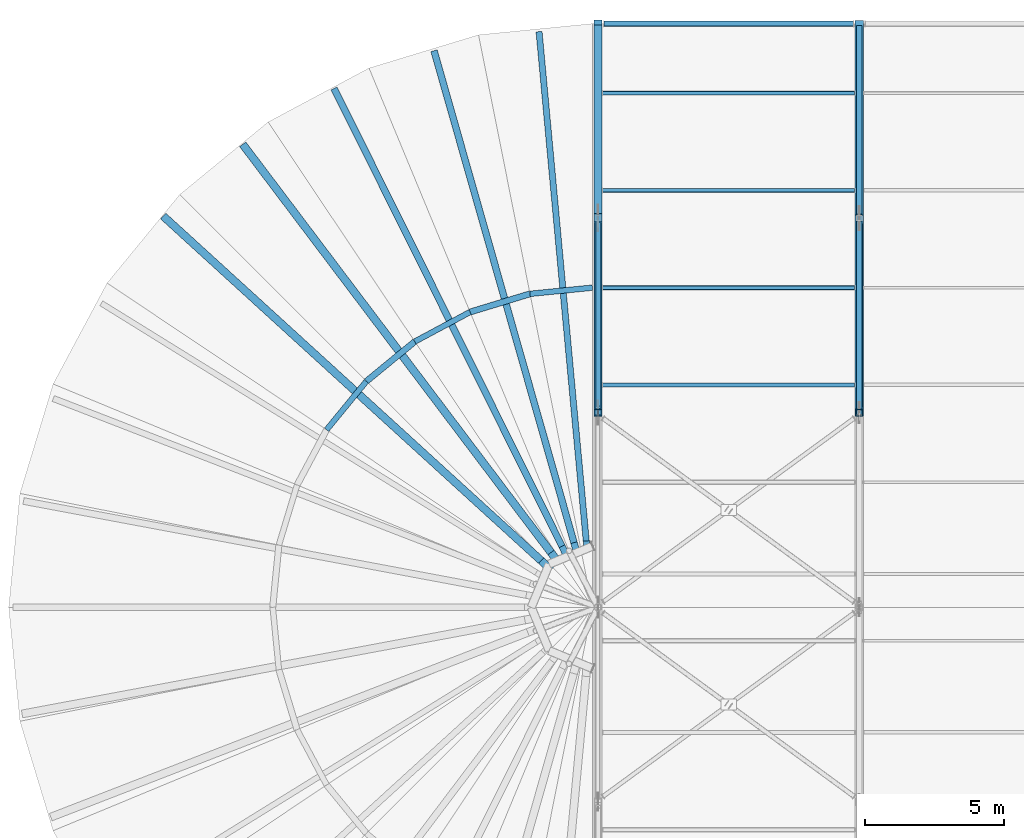
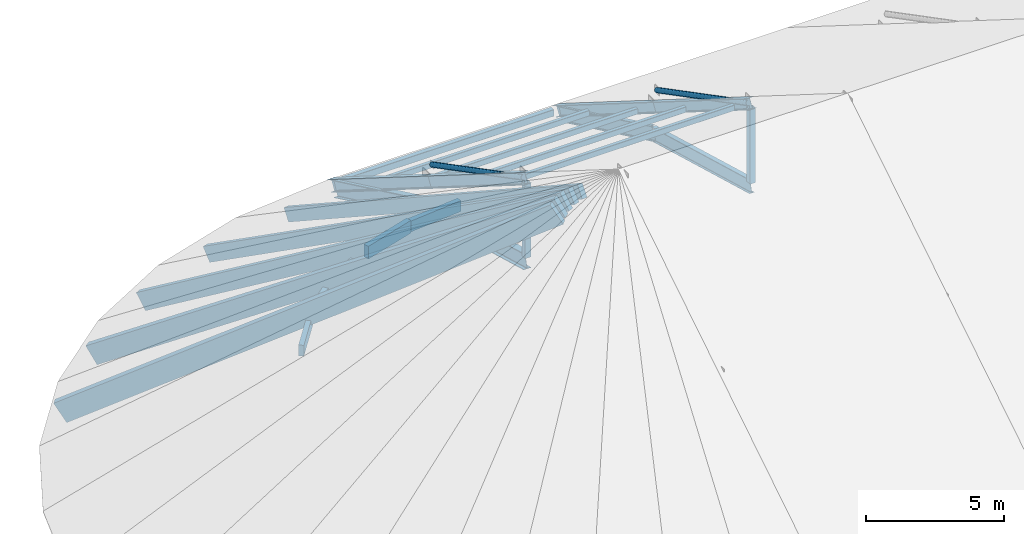
# One storey, part 11 of 66: 17 members, 10 beams.
"""IFC4 building model written with IfcOpenShell, lengths in metres."""

from ifc_helpers import new_model, si_unit, direction, frame, origin, origin_2d, place, context, subcontext, project, spatial, rectangle, hollow_rectangle, hollow_circle, i_section, extrude, material, material_profile, profile_set, type_object, element, save


model = new_model("IFC4")

# Units and contexts
model_context = context("Model", 3, precision=1e-05, world=origin(), true_north=direction((0.0, 1.0)))
body_context = subcontext(model_context, "Body", "Model", "MODEL_VIEW")
ifc_project = project(units=[si_unit("LENGTHUNIT", "METRE"), si_unit("AREAUNIT", "SQUARE_METRE"), si_unit("VOLUMEUNIT", "CUBIC_METRE"), si_unit("PLANEANGLEUNIT", "RADIAN"), si_unit("MASSUNIT", "GRAM", prefix="KILO")], contexts=[model_context])

# Site, building, storey
site_placement = place(None, origin())
site = spatial("IfcSite", under=ifc_project, at=site_placement, CompositionType="ELEMENT")
building_placement = place(site_placement, origin())
building = spatial("IfcBuilding", under=site, at=building_placement, Name="Yeouljin Market Hall", CompositionType="ELEMENT")
storey_placement = place(building_placement, frame((0.0, 0.0, 23.39990234375)))
storey = spatial("IfcBuildingStorey", under=building, at=storey_placement, Name="RF", CompositionType="ELEMENT", Elevation=23.39990234375)

# Beams
ifc_material_1 = material(Name="Glulam Timber KS F 3021 10S-30B", Category="wood")
ifc_material_profile_1 = material_profile(ifc_material_1, rectangle(XDim=0.199951171875, YDim=0.47998046875, at=origin_2d()), Name="GL-200x480")
ifc_profile_set_1 = profile_set([ifc_material_profile_1], Name="Glulam Timber KS F 3021 10S-30B")
beam_type_1 = type_object("IfcBeamType", Name="Beam_GL-200x480", PredefinedType="BEAM", material=ifc_profile_set_1)
for number, where, z_axis, x_axis, name in (
    (1, (25.838134765625, 63.38916015625, -7.349853515625), (0.634446057167, 0.772967140663, 0.0), (-0.772967140663, 0.634446057167, 0.0), "Glulam apse collar beam west 12"),
    (2, (29.010986328125, 66.56201171875, -7.349853515625), (0.881944865518, 0.471352579484, 0.0), (-0.471352579484, 0.881944865518, 0.0), "Glulam apse collar beam west 14"),
    (3, (33.156494140625, 68.279052734375, -7.349853515625), (0.995185122883, 0.098013117446, 0.0), (-0.098013117446, 0.995185122883, 0.0), "Glulam apse collar beam west 16"),
):
    element("IfcBeam", number, at=place(storey_placement, frame(where, z_axis=z_axis, x_axis=x_axis)), inside=storey, type_object=beam_type_1, Name=name, PredefinedType="BEAM", context=body_context, shape_type="SweptSolid", body=[
        extrude(rectangle(XDim=0.199951171875, YDim=0.47998046875, at=origin_2d()), origin(), (0.0, 0.0, 1.0), 2.254150390625),
    ])
ifc_material_2 = material(Name="Glulam Timber KS F 3021 10S-30B", Category="wood")
ifc_material_profile_2 = material_profile(ifc_material_2, rectangle(XDim=0.219970703125, YDim=0.56005859375, at=origin_2d()), Name="GL-220x560")
ifc_profile_set_2 = profile_set([ifc_material_profile_2], Name="Glulam Timber KS F 3021 10S-30B")
beam_type_2 = type_object("IfcBeamType", Name="Beam_GL-220x560", PredefinedType="BEAM", material=ifc_profile_set_2)
for number, where, z_axis, x_axis, name in (
    (4, (27.268310546875, 65.131591796875, -7.349853515625), (0.772957623803, 0.634457651704, 0.0), (-0.634457651704, 0.772957623803, 0.0), "Glulam apse collar beam west 13"),
    (5, (30.9990234375, 67.62451171875, -7.349853515625), (0.9569305483, 0.290316940137, 0.0), (-0.290316940137, 0.9569305483, 0.0), "Glulam apse collar beam west 15"),
):
    element("IfcBeam", number, at=place(storey_placement, frame(where, z_axis=z_axis, x_axis=x_axis)), inside=storey, type_object=beam_type_2, Name=name, PredefinedType="BEAM", context=body_context, shape_type="SweptSolid", body=[
        extrude(rectangle(XDim=0.219970703125, YDim=0.56005859375, at=origin_2d()), origin(), (0.0, 0.0, 1.0), 2.254638671875),
    ])
ifc_material_3 = material(Name="Steel SM355", Category="steel")
ifc_material_profile_3 = material_profile(ifc_material_3, i_section(OverallWidth=0.199951171875, OverallDepth=0.60009765625, WebThickness=0.010986328125, FlangeThickness=0.01708984375, FilletRadius=0.02197265625, at=origin_2d()), Name="H-600x200x11x17")
ifc_profile_set_3 = profile_set([ifc_material_profile_3], Name="Steel SM355")
beam_type_3 = type_object("IfcBeamType", Name="Beam_H-600x200x11x17", PredefinedType="BEAM", material=ifc_profile_set_3)
beam_1_placement = place(storey_placement, frame((45.0, 64.02001953125, -7.144287109375), z_axis=(0.0, 0.963516941196, -0.267647350124), x_axis=(-1.0, 0.0, 0.0)))
element("IfcBeam", 6, at=beam_1_placement, inside=storey, type_object=beam_type_3, Name="Truss AT-02 arch rib 5", PredefinedType="BEAM", context=body_context, shape_type="SweptSolid", body=[
    extrude(i_section(OverallWidth=0.199951171875, OverallDepth=0.60009765625, WebThickness=0.010986328125, FlangeThickness=0.01708984375, FilletRadius=0.02197265625, at=origin_2d()), origin(), (0.0, 0.0, 1.0), 7.223388671875),
])
beam_2_placement = place(storey_placement, frame((45.0, 71.02001953125, -9.07763671875), z_axis=(0.0, 0.903192091176, -0.429236585623), x_axis=(-1.0, 0.0, 0.0)))
element("IfcBeam", 7, at=beam_2_placement, inside=storey, type_object=beam_type_3, Name="Truss AT-02 arch rib 6", PredefinedType="BEAM", context=body_context, shape_type="SweptSolid", body=[
    extrude(i_section(OverallWidth=0.199951171875, OverallDepth=0.60009765625, WebThickness=0.010986328125, FlangeThickness=0.01708984375, FilletRadius=0.02197265625, at=origin_2d()), origin(), (0.0, 0.0, 1.0), 7.5068359375),
])
ifc_material_4 = material(Name="Steel SM355", Category="steel")
ifc_material_profile_4 = material_profile(ifc_material_4, hollow_rectangle(XDim=0.199951171875, YDim=0.300048828125, WallThickness=0.009033203125, InnerFilletRadius=0.009033203125, OuterFilletRadius=0.01611328125, at=origin_2d()), Name="RHS-300x200x9")
ifc_profile_set_4 = profile_set([ifc_material_profile_4], Name="Steel SM355")
beam_type_4 = type_object("IfcBeamType", Name="Beam_RHS-300x200x9", PredefinedType="BEAM", material=ifc_profile_set_4)
beam_3_placement = place(storey_placement, frame((35.81591796875, 78.0, -12.27978515625), z_axis=(1.0, 0.0, 0.0), x_axis=(0.0, 1.0, 0.0)))
element("IfcBeam", 8, at=beam_3_placement, inside=storey, type_object=beam_type_4, Name="Hall eaves girder N01", PredefinedType="BEAM", context=body_context, shape_type="SweptSolid", body=[
    extrude(hollow_rectangle(XDim=0.199951171875, YDim=0.300048828125, WallThickness=0.009033203125, InnerFilletRadius=0.009033203125, OuterFilletRadius=0.01611328125, at=origin_2d()), origin(), (0.0, 0.0, 1.0), 8.968017578125),
])

# Members
ifc_material_5 = material(Name="Steel SM355", Category="steel")
ifc_material_profile_5 = material_profile(ifc_material_5, hollow_circle(Radius=0.108154296875, WallThickness=0.008056640625, at=origin_2d()), Name="CHS-216.3x8")
ifc_profile_set_5 = profile_set([ifc_material_profile_5], Name="Steel SM355")
member_type_1 = type_object("IfcMemberType", Name="Brace_CHS-216.3x8", PredefinedType="BRACE", material=ifc_profile_set_5)
for number, where, z_axis, x_axis, name in (
    (9, (35.60009765625, 64.195068359375, -3.6015625), (0.0, 0.886995164265, -0.461778711691), (-1.0, 0.0, 0.0), "Truss AT-01 web diagonal 5"),
    (10, (45.0, 64.195068359375, -3.6015625), (0.0, 0.886995164265, -0.461778711691), (-1.0, 0.0, 0.0), "Truss AT-02 web diagonal 5"),
):
    element("IfcMember", number, at=place(storey_placement, frame(where, z_axis=z_axis, x_axis=x_axis)), inside=storey, type_object=member_type_1, Name=name, PredefinedType="BRACE", context=body_context, shape_type="SweptSolid", body=[
        extrude(hollow_circle(Radius=0.108154296875, WallThickness=0.008056640625, at=origin_2d()), origin(), (0.0, 0.0, 1.0), 7.451904296875),
    ])
ifc_material_6 = material(Name="Steel SM355", Category="steel")
ifc_material_profile_6 = material_profile(ifc_material_6, i_section(OverallWidth=0.300048828125, OverallDepth=0.43994140625, WebThickness=0.010986328125, FlangeThickness=0.01806640625, FilletRadius=0.02001953125, at=origin_2d()), Name="H-440x300x11x18")
ifc_profile_set_6 = profile_set([ifc_material_profile_6], Name="Steel SM355")
member_type_2 = type_object("IfcMemberType", Name="Chord_H-440x300x11x18", PredefinedType="CHORD", material=ifc_profile_set_6)
for number, where, z_axis, x_axis, name in (
    (11, (45.0, 64.0, -3.5), (0.0, 0.846641870869, -0.53216307885), (-1.0, 0.0, 0.0), "Truss AT-02 top chord 5"),
    (12, (45.0, 71.0, -7.89990234375), (0.0, 0.846641870869, -0.53216307885), (-1.0, 0.0, 0.0), "Truss AT-02 top chord 6"),
):
    element("IfcMember", number, at=place(storey_placement, frame(where, z_axis=z_axis, x_axis=x_axis)), inside=storey, type_object=member_type_2, Name=name, PredefinedType="CHORD", context=body_context, shape_type="SweptSolid", body=[
        extrude(i_section(OverallWidth=0.300048828125, OverallDepth=0.43994140625, WebThickness=0.010986328125, FlangeThickness=0.01806640625, FilletRadius=0.02001953125, at=origin_2d()), origin(), (0.0, 0.0, 1.0), 8.26806640625),
    ])
ifc_material_7 = material(Name="Steel SM355", Category="steel")
ifc_material_profile_7 = material_profile(ifc_material_7, i_section(OverallWidth=0.300048828125, OverallDepth=0.488037109375, WebThickness=0.010986328125, FlangeThickness=0.01806640625, FilletRadius=0.02197265625, at=origin_2d()), Name="H-488x300x11x18")
ifc_profile_set_7 = profile_set([ifc_material_profile_7], Name="Steel SM355")
member_type_3 = type_object("IfcMemberType", Name="Chord_H-488x300x11x18", PredefinedType="CHORD", material=ifc_profile_set_7)
for number, where, z_axis, x_axis, name in (
    (13, (35.60009765625, 64.0, -3.5), (0.0, 0.846641870869, -0.53216307885), (-1.0, 0.0, 0.0), "Truss AT-01 top chord 5"),
    (14, (35.60009765625, 71.0, -7.89990234375), (0.0, 0.846641870869, -0.53216307885), (-1.0, 0.0, 0.0), "Truss AT-01 top chord 6"),
):
    element("IfcMember", number, at=place(storey_placement, frame(where, z_axis=z_axis, x_axis=x_axis)), inside=storey, type_object=member_type_3, Name=name, PredefinedType="CHORD", context=body_context, shape_type="SweptSolid", body=[
        extrude(i_section(OverallWidth=0.300048828125, OverallDepth=0.488037109375, WebThickness=0.010986328125, FlangeThickness=0.01806640625, FilletRadius=0.02197265625, at=origin_2d()), origin(), (0.0, 0.0, 1.0), 8.26806640625),
    ])

# Beams
ifc_material_8 = material(Name="Steel SM355", Category="steel")
ifc_material_profile_8 = material_profile(ifc_material_8, i_section(OverallWidth=0.300048828125, OverallDepth=0.699951171875, WebThickness=0.012939453125, FlangeThickness=0.02392578125, FilletRadius=0.02587890625, at=origin_2d()), Name="H-700x300x13x24")
ifc_profile_set_8 = profile_set([ifc_material_profile_8], Name="Steel SM355")
beam_type_5 = type_object("IfcBeamType", Name="Girder_H-700x300x13x24", PredefinedType="USERDEFINED", material=ifc_profile_set_8)
beam_4_placement = place(storey_placement, frame((35.60009765625, 64.02001953125, -7.144287109375), z_axis=(0.0, 0.963516941196, -0.267647350124), x_axis=(-1.0, 0.0, 0.0)))
element("IfcBeam", 15, at=beam_4_placement, inside=storey, type_object=beam_type_5, Name="Truss AT-01 arch rib 5", ObjectType="GIRDER", PredefinedType="USERDEFINED", context=body_context, shape_type="SweptSolid", body=[
    extrude(i_section(OverallWidth=0.300048828125, OverallDepth=0.699951171875, WebThickness=0.012939453125, FlangeThickness=0.02392578125, FilletRadius=0.02587890625, at=origin_2d()), origin(), (0.0, 0.0, 1.0), 7.223388671875),
])
beam_5_placement = place(storey_placement, frame((35.60009765625, 71.02001953125, -9.07763671875), z_axis=(0.0, 0.903192091176, -0.429236585623), x_axis=(-1.0, 0.0, 0.0)))
element("IfcBeam", 16, at=beam_5_placement, inside=storey, type_object=beam_type_5, Name="Truss AT-01 arch rib 6", ObjectType="GIRDER", PredefinedType="USERDEFINED", context=body_context, shape_type="SweptSolid", body=[
    extrude(i_section(OverallWidth=0.300048828125, OverallDepth=0.699951171875, WebThickness=0.012939453125, FlangeThickness=0.02392578125, FilletRadius=0.02587890625, at=origin_2d()), origin(), (0.0, 0.0, 1.0), 7.5068359375),
])

# Members
ifc_material_9 = material(Name="Steel SM355", Category="steel")
ifc_material_profile_9 = material_profile(ifc_material_9, hollow_rectangle(XDim=0.14990234375, YDim=0.25, WallThickness=0.008056640625, InnerFilletRadius=0.008056640625, OuterFilletRadius=0.01611328125, at=origin_2d()), Name="RHS-250x150x8")
ifc_profile_set_9 = profile_set([ifc_material_profile_9], Name="Steel SM355")
member_type_4 = type_object("IfcMemberType", Name="Purlin_RHS-250x150x8", PredefinedType="PURLIN", material=ifc_profile_set_9)
for number, where, z_axis, x_axis, name in (
    (17, (35.76611328125, 65.0, -4.20849609375), (1.0, 0.0, 0.0), (0.0, 1.0, 0.0), "Nave roof purlin 009"),
    (18, (35.76611328125, 68.5, -6.408447265625), (1.0, 0.0, 0.0), (0.0, 1.0, 0.0), "Nave roof purlin 010"),
    (19, (35.76611328125, 72.0, -8.6083984375), (1.0, 0.0, 0.0), (0.0, 1.0, 0.0), "Nave roof purlin 011"),
    (20, (35.76611328125, 75.5, -10.80859375), (1.0, 0.0, 0.0), (0.0, 1.0, 0.0), "Nave roof purlin 012"),
):
    element("IfcMember", number, at=place(storey_placement, frame(where, z_axis=z_axis, x_axis=x_axis)), inside=storey, type_object=member_type_4, Name=name, PredefinedType="PURLIN", context=body_context, shape_type="SweptSolid", body=[
        extrude(hollow_rectangle(XDim=0.14990234375, YDim=0.25, WallThickness=0.008056640625, InnerFilletRadius=0.008056640625, OuterFilletRadius=0.01611328125, at=origin_2d()), origin(), (0.0, 0.0, 1.0), 9.06787109375),
    ])
ifc_material_10 = material(Name="Glulam Timber KS F 3021 10S-30B", Category="wood")
ifc_material_profile_10 = material_profile(ifc_material_10, rectangle(XDim=0.219970703125, YDim=0.56005859375, at=origin_2d()), Name="GL-220x560")
ifc_profile_set_10 = profile_set([ifc_material_profile_10], Name="Glulam Timber KS F 3021 10S-30B")
member_type_5 = type_object("IfcMemberType", Name="Rafter_GL-220x560", PredefinedType="RAFTER", material=ifc_profile_set_10)
member_1_placement = place(storey_placement, frame((33.49462890625, 77.56201171875, -12.579833984375), z_axis=(0.07820580902, -0.843968210804, 0.530661389766), x_axis=(0.995734107215, 0.092269104958, 0.0)))
element("IfcMember", 21, at=member_1_placement, inside=storey, type_object=member_type_5, Name="Fanned glulam apse rafter west 17", PredefinedType="RAFTER", context=body_context, shape_type="SweptSolid", body=[
    extrude(rectangle(XDim=0.219970703125, YDim=0.56005859375, at=origin_2d()), origin(), (0.0, 0.0, 1.0), 21.708740234375),
])
ifc_material_11 = material(Name="Glulam Timber KS F 3021 10S-30B", Category="wood")
ifc_material_profile_11 = material_profile(ifc_material_11, rectangle(XDim=0.239990234375, YDim=0.639892578125, at=origin_2d()), Name="GL-240x640")
ifc_profile_set_11 = profile_set([ifc_material_profile_11], Name="Glulam Timber KS F 3021 10S-30B")
member_type_6 = type_object("IfcMemberType", Name="Rafter_GL-240x640", PredefinedType="RAFTER", material=ifc_profile_set_11)
member_2_placement = place(storey_placement, frame((29.748779296875, 76.86181640625, -12.579833984375), z_axis=(0.231950904705, -0.815230113071, 0.530658685548), x_axis=(0.961826283182, 0.273660740663, 0.0)))
element("IfcMember", 22, at=member_2_placement, inside=storey, type_object=member_type_6, Name="Fanned glulam apse rafter west 16", PredefinedType="RAFTER", context=body_context, shape_type="SweptSolid", body=[
    extrude(rectangle(XDim=0.239990234375, YDim=0.639892578125, at=origin_2d()), origin(), (0.0, 0.0, 1.0), 21.708984375),
])
ifc_material_12 = material(Name="Glulam Timber KS F 3021 10S-30B", Category="wood")
ifc_material_profile_12 = material_profile(ifc_material_12, rectangle(XDim=0.239990234375, YDim=0.760009765625, at=origin_2d()), Name="GL-240x760")
ifc_profile_set_12 = profile_set([ifc_material_profile_12], Name="Glulam Timber KS F 3021 10S-30B")
member_type_7 = type_object("IfcMemberType", Name="Rafter_GL-240x760", PredefinedType="RAFTER", material=ifc_profile_set_12)
member_3_placement = place(storey_placement, frame((26.195556640625, 75.485107421875, -12.579833984375), z_axis=(0.377804205833, -0.758723603814, 0.530662298519), x_axis=(0.89516105907, 0.445742838781, 0.0)))
element("IfcMember", 23, at=member_3_placement, inside=storey, type_object=member_type_7, Name="Fanned glulam apse rafter west 15", PredefinedType="RAFTER", context=body_context, shape_type="SweptSolid", body=[
    extrude(rectangle(XDim=0.239990234375, YDim=0.760009765625, at=origin_2d()), origin(), (0.0, 0.0, 1.0), 21.708740234375),
])
ifc_material_13 = material(Name="Glulam Timber KS F 3021 10S-30B", Category="wood")
ifc_material_profile_13 = material_profile(ifc_material_13, rectangle(XDim=0.280029296875, YDim=0.840087890625, at=origin_2d()), Name="GL-280x840")
ifc_profile_set_13 = profile_set([ifc_material_profile_13], Name="Glulam Timber KS F 3021 10S-30B")
member_type_8 = type_object("IfcMemberType", Name="Rafter_GL-280x840", PredefinedType="RAFTER", material=ifc_profile_set_13)
member_4_placement = place(storey_placement, frame((22.95556640625, 73.47900390625, -12.579833984375), z_axis=(0.510786961977, -0.676385896676, 0.530658834141), x_axis=(0.798014933418, 0.602637673931, 0.0)))
element("IfcMember", 24, at=member_4_placement, inside=storey, type_object=member_type_8, Name="Fanned glulam apse rafter west 14", PredefinedType="RAFTER", context=body_context, shape_type="SweptSolid", body=[
    extrude(rectangle(XDim=0.280029296875, YDim=0.840087890625, at=origin_2d()), origin(), (0.0, 0.0, 1.0), 21.708984375),
])
ifc_material_14 = material(Name="Glulam Timber KS F 3021 10S-30B", Category="wood")
ifc_material_profile_14 = material_profile(ifc_material_14, rectangle(XDim=0.280029296875, YDim=0.919921875, at=origin_2d()), Name="GL-280x920")
ifc_profile_set_14 = profile_set([ifc_material_profile_14], Name="Glulam Timber KS F 3021 10S-30B")
member_type_9 = type_object("IfcMemberType", Name="Rafter_GL-280x920", PredefinedType="RAFTER", material=ifc_profile_set_14)
member_5_placement = place(storey_placement, frame((20.139404296875, 70.911865234375, -12.579833984375), z_axis=(0.626375700335, -0.571011002546, 0.530659888253), x_axis=(0.673691843996, 0.739012381042, 0.0)))
element("IfcMember", 25, at=member_5_placement, inside=storey, type_object=member_type_9, Name="Fanned glulam apse rafter west 13", PredefinedType="RAFTER", context=body_context, shape_type="SweptSolid", body=[
    extrude(rectangle(XDim=0.280029296875, YDim=0.919921875, at=origin_2d()), origin(), (0.0, 0.0, 1.0), 21.708740234375),
])
ifc_material_15 = material(Name="Steel SM355", Category="steel")
ifc_material_profile_15 = material_profile(ifc_material_15, hollow_rectangle(XDim=0.25, YDim=0.25, WallThickness=0.009033203125, InnerFilletRadius=0.009033203125, OuterFilletRadius=0.01611328125, at=origin_2d()), Name="SHS-250x250x9")
ifc_profile_set_15 = profile_set([ifc_material_profile_15], Name="Steel SM355")
member_type_10 = type_object("IfcMemberType", Name="Strut_SHS-250x250x9", PredefinedType="STRUT", material=ifc_profile_set_15)
for number, where, z_axis, x_axis, name in (
    (26, (35.60009765625, 64.0, -6.96435546875), (0.0, 0.0, 1.0), (1.0, 0.0, 0.0), "Truss AT-01 vertical strut 4"),
    (27, (45.0, 64.0, -6.96435546875), (0.0, 0.0, 1.0), (1.0, 0.0, 0.0), "Truss AT-02 vertical strut 4"),
):
    element("IfcMember", number, at=place(storey_placement, frame(where, z_axis=z_axis, x_axis=x_axis)), inside=storey, type_object=member_type_10, Name=name, PredefinedType="STRUT", context=body_context, shape_type="SweptSolid", body=[
        extrude(hollow_rectangle(XDim=0.25, YDim=0.25, WallThickness=0.009033203125, InnerFilletRadius=0.009033203125, OuterFilletRadius=0.01611328125, at=origin_2d()), origin(), (0.0, 0.0, 1.0), 3.284423828125),
    ])

save(model, "model.ifc")
